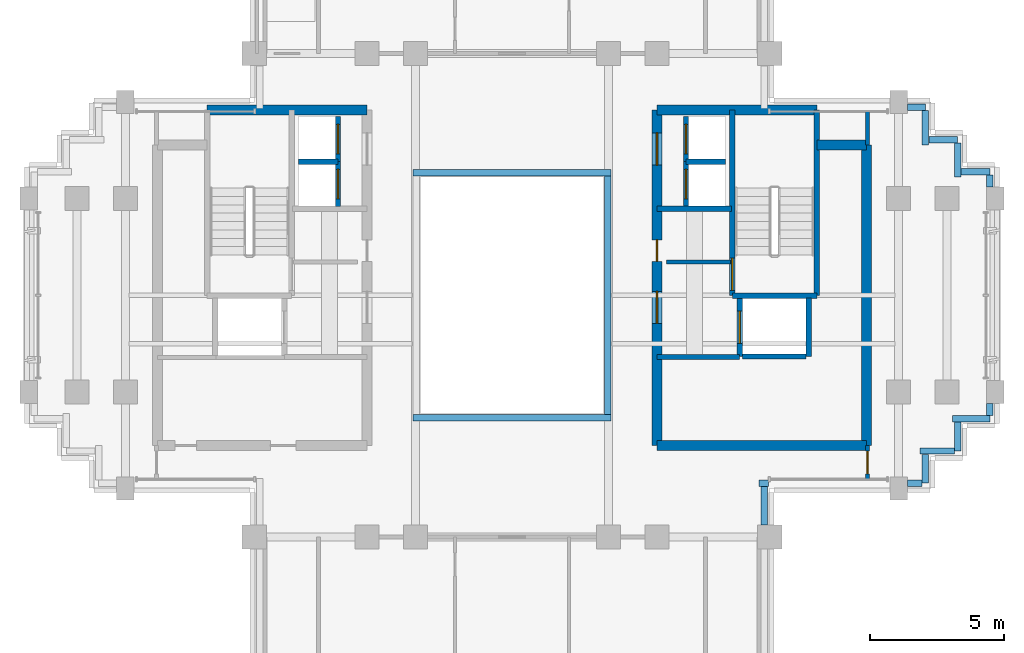
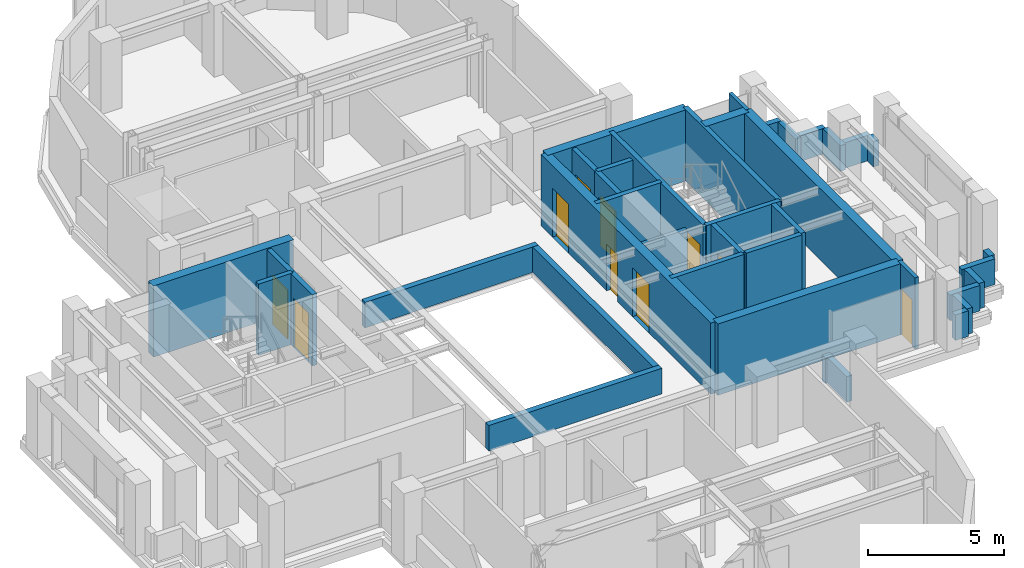
# One storey, part 7 of 11: 40 walls, 10 doors, 10 openings.
"""IFC4 building model written with IfcOpenShell, lengths in metres."""

from ifc_helpers import new_model, si_unit, direction, frame, frame_2d, origin, place, context, subcontext, project, spatial, rectangle, extrude, source, transform, mapped, material, layer, layer_set, type_object, element, fill, save


model = new_model("IFC4")

# Units and contexts
model_context = context("Model", 3, precision=1e-05, world=origin(), true_north=direction((0.0, 1.0)))
body_context = subcontext(model_context, "Body", "Model", "MODEL_VIEW")
ifc_project = project(units=[si_unit("LENGTHUNIT", "METRE"), si_unit("AREAUNIT", "SQUARE_METRE"), si_unit("VOLUMEUNIT", "CUBIC_METRE"), si_unit("PLANEANGLEUNIT", "RADIAN"), si_unit("MASSUNIT", "GRAM", prefix="KILO")], contexts=[model_context])

# Site, building, storey
site_placement = place(None, origin())
site = spatial("IfcSite", under=ifc_project, at=site_placement, CompositionType="ELEMENT")
building_placement = place(site_placement, origin())
building = spatial("IfcBuilding", under=site, at=building_placement, Name="Keilestroom Media Tower", CompositionType="ELEMENT")
storey_placement = place(building_placement, frame((0.0, 0.0, 204.60009765625)))
storey = spatial("IfcBuildingStorey", under=building, at=storey_placement, Name="L56", CompositionType="ELEMENT", Elevation=204.60009765625)

# Walls
ifc_material_1 = material(Name="Gypsum Plasterboard & Steel Stud", Category="steel")
ifc_layer_1 = layer(ifc_material_1, 0.14990234375)
ifc_layer_set_1 = layer_set([ifc_layer_1], Name="Gypsum Plasterboard & Steel Stud")
wall_type_1 = type_object("IfcWallType", Name="Interior-Partition-Wall-150", PredefinedType="PARTITIONING", material=ifc_layer_set_1)
wall_1_placement = place(storey_placement, frame((5.75, 1.239990234375, 0.0), z_axis=(0.0, 0.0, 1.0), x_axis=(1.0, 0.0, 0.0)))
element("IfcWall", 1, at=wall_1_placement, inside=storey, type_object=wall_type_1, Name="L56 Interior Wall WP-L56-FFE-TOP", PredefinedType="PARTITIONING", context=body_context, shape_type="SweptSolid", body=[
    extrude(rectangle(XDim=2.389892578125, YDim=0.14990234375, at=frame_2d((1.19482421875, 0.0))), origin(), (0.0, 0.0, 1.0), 2.2998046875),
])
wall_2_placement = place(storey_placement, frame((13.239990234375, 5.60009765625, 0.0), z_axis=(0.0, 0.0, 1.0), x_axis=(0.0, 1.0, 0.0)))
element("IfcWall", 2, at=wall_2_placement, inside=storey, type_object=wall_type_1, Name="L56 Interior Wall WP-L56-RPAR-ENTN", PredefinedType="PARTITIONING", context=body_context, shape_type="SweptSolid", body=[
    extrude(rectangle(XDim=1.25, YDim=0.14990234375, at=frame_2d((0.625, 0.0))), origin(), (0.0, 0.0, 1.0), 3.199951171875),
])

# Wall, opening, door
wall_3_placement = place(storey_placement, frame((13.239990234375, -6.85009765625, 0.0), z_axis=(0.0, 0.0, 1.0), x_axis=(0.0, 1.0, 0.0)))
wall_3 = element("IfcWall", 3, at=wall_3_placement, inside=storey, type_object=wall_type_1, Name="L56 Interior Wall WP-L56-RPAR-ENTS", PredefinedType="PARTITIONING", context=body_context, shape_type="SweptSolid", body=[
    extrude(rectangle(XDim=1.25, YDim=0.14990234375, at=frame_2d((0.625, 0.0))), origin(), (0.0, 0.0, 1.0), 3.199951171875),
])
opening_1_placement = place(wall_3_placement, frame((0.199951171875, 0.0, 0.0)))
opening_1 = element("IfcOpeningElement", 4, at=opening_1_placement, cuts=wall_3, Name="Opening DI-05", PredefinedType="OPENING", context=body_context, shape_type="SweptSolid", body=[
    extrude(rectangle(XDim=0.85009765625, YDim=2.10009765625, at=frame_2d((0.425048828125, 1.050048828125))), frame((0.0, 0.0849609375, 0.0), z_axis=(0.0, -1.0, 0.0), x_axis=(1.0, 0.0, 0.0)), (0.0, 0.0, 1.0), 0.169921875),
])
ifc_material_2 = material(Name="Moisture-Resistant Oak Leaf", Category="wood")
door_type_1 = type_object("IfcDoorType", Name="Interior-En-Suite-And-Cupboard-Door-DI-05", OperationType="NOTDEFINED", PredefinedType="DOOR", material=ifc_material_2)
shared_shape_1 = source(origin(), body_context, "Body", "SweptSolid", [
    extrude(rectangle(XDim=0.85009765625, YDim=2.10009765625, at=frame_2d((0.425048828125, 1.050048828125))), frame((0.0, 0.02490234375, 0.0), z_axis=(0.0, -1.0, 0.0), x_axis=(1.0, 0.0, 0.0)), (0.0, 0.0, 1.0), 0.050048828125),
])
door_1_placement = place(opening_1_placement, origin())
door_1 = element("IfcDoor", 5, at=door_1_placement, inside=storey, type_object=door_type_1, Name="L56 Interior Door DI-L56-DRPAR-E", OperationType="SINGLE_SWING_LEFT", OverallHeight=2.10009765625, OverallWidth=0.85009765625, PredefinedType="DOOR", context=body_context, shape_type="MappedRepresentation", body=[
    mapped(shared_shape_1, transform((0.0, 0.0, 0.0), x_axis=(1.0, 0.0, 0.0), y_axis=(0.0, 1.0, 0.0), z_axis=(0.0, 0.0, 1.0), scale=1.0)),
])
fill(opening_1, door_1)

# Walls
ifc_material_3 = material(Name="Concrete C55/67", Category="concrete")
ifc_layer_2 = layer(ifc_material_3, 0.3798828125)
ifc_layer_set_2 = layer_set([ifc_layer_2], Name="Concrete C55/67")
wall_type_2 = type_object("IfcWallType", Name="Reinforced-Concrete-Core-Shear-Wall-380", PredefinedType="SHEAR", material=ifc_layer_set_2)
wall_4_placement = place(storey_placement, frame((-11.35595703125, 6.89990234375, 0.0), z_axis=(0.0, 0.0, 1.0), x_axis=(1.0, 0.0, 0.0)))
element("IfcWall", 6, at=wall_4_placement, inside=storey, type_object=wall_type_2, Name="L56 Core Shear Wall WL-L56-CORE-W-N", PredefinedType="SHEAR", context=body_context, shape_type="SweptSolid", body=[
    extrude(rectangle(XDim=5.9560546875, YDim=0.3798828125, at=frame_2d((2.97802734375, 0.0))), origin(), (0.0, 0.0, 1.0), 3.199951171875),
])
wall_5_placement = place(storey_placement, frame((13.199951171875, -5.60009765625, 0.0), z_axis=(0.0, 0.0, 1.0), x_axis=(0.0, 1.0, 0.0)))
element("IfcWall", 7, at=wall_5_placement, inside=storey, type_object=wall_type_2, Name="L56 Core Shear Wall WL-L56-CORE-E-OUT", PredefinedType="SHEAR", context=body_context, shape_type="SweptSolid", body=[
    extrude(rectangle(XDim=11.2001953125, YDim=0.3798828125, at=frame_2d((5.60009765625, 0.0))), origin(), (0.0, 0.0, 1.0), 3.199951171875),
])

# Wall, openings, doors
wall_6_placement = place(storey_placement, frame((5.39990234375, -5.60009765625, 0.0), z_axis=(0.0, 0.0, 1.0), x_axis=(0.0, 1.0, 0.0)))
wall_6 = element("IfcWall", 8, at=wall_6_placement, inside=storey, type_object=wall_type_2, Name="L56 Core Shear Wall WL-L56-CORE-E-IN", PredefinedType="SHEAR", context=body_context, shape_type="SweptSolid", body=[
    extrude(rectangle(XDim=12.5, YDim=0.3798828125, at=frame_2d((6.25, 0.0))), origin(), (0.0, 0.0, 1.0), 3.199951171875),
])
opening_2_placement = place(wall_6_placement, frame((4.550048828125, 0.0, 0.0)))
opening_2 = element("IfcOpeningElement", 9, at=opening_2_placement, cuts=wall_6, Name="Opening DI-02", PredefinedType="OPENING", context=body_context, shape_type="SweptSolid", body=[
    extrude(rectangle(XDim=1.199951171875, YDim=2.199951171875, at=frame_2d((0.60009765625, 1.10009765625))), frame((0.0, 0.199951171875, 0.0), z_axis=(0.0, -1.0, 0.0), x_axis=(1.0, 0.0, 0.0)), (0.0, 0.0, 1.0), 0.39990234375),
])
opening_3_placement = place(wall_6_placement, frame((10.449951171875, 0.0, 0.0)))
opening_3 = element("IfcOpeningElement", 10, at=opening_3_placement, cuts=wall_6, Name="Opening DI-02", PredefinedType="OPENING", context=body_context, shape_type="SweptSolid", body=[
    extrude(rectangle(XDim=1.199951171875, YDim=2.199951171875, at=frame_2d((0.60009765625, 1.10009765625))), frame((0.0, 0.199951171875, 0.0), z_axis=(0.0, -1.0, 0.0), x_axis=(1.0, 0.0, 0.0)), (0.0, 0.0, 1.0), 0.39990234375),
])
opening_4_placement = place(wall_6_placement, frame((6.860107421875, 0.0, 0.0)))
opening_4 = element("IfcOpeningElement", 11, at=opening_4_placement, cuts=wall_6, Name="Opening DI-06", PredefinedType="OPENING", context=body_context, shape_type="SweptSolid", body=[
    extrude(rectangle(XDim=0.800048828125, YDim=2.10009765625, at=frame_2d((0.39990234375, 1.050048828125))), frame((0.0, 0.199951171875, 0.0), z_axis=(0.0, -1.0, 0.0), x_axis=(1.0, 0.0, 0.0)), (0.0, 0.0, 1.0), 0.39990234375),
])
ifc_material_4 = material(Name="Powder-Coated Steel Fire Leaf", Category="steel")
door_type_2 = type_object("IfcDoorType", Name="Interior-Compartment-Fire-Door-DI-02", OperationType="NOTDEFINED", PredefinedType="DOOR", material=ifc_material_4)
shared_shape_2 = source(origin(), body_context, "Body", "SweptSolid", [
    extrude(rectangle(XDim=1.199951171875, YDim=2.199951171875, at=frame_2d((0.60009765625, 1.10009765625))), frame((0.0, 0.02490234375, 0.0), z_axis=(0.0, -1.0, 0.0), x_axis=(1.0, 0.0, 0.0)), (0.0, 0.0, 1.0), 0.050048828125),
])
door_2_placement = place(opening_2_placement, origin())
door_2 = element("IfcDoor", 12, at=door_2_placement, inside=storey, type_object=door_type_2, Name="L56 E Firefighting Lobby Door", OperationType="SINGLE_SWING_LEFT", OverallHeight=2.199951171875, OverallWidth=1.199951171875, PredefinedType="DOOR", context=body_context, shape_type="MappedRepresentation", body=[
    mapped(shared_shape_2, transform((0.0, 0.0, 0.0), x_axis=(1.0, 0.0, 0.0), y_axis=(0.0, 1.0, 0.0), z_axis=(0.0, 0.0, 1.0), scale=1.0)),
])
fill(opening_2, door_2)
door_3_placement = place(opening_3_placement, origin())
door_3 = element("IfcDoor", 13, at=door_3_placement, inside=storey, type_object=door_type_2, Name="L56 E High-Rise Lift Lobby Door", OperationType="SINGLE_SWING_RIGHT", OverallHeight=2.199951171875, OverallWidth=1.199951171875, PredefinedType="DOOR", context=body_context, shape_type="MappedRepresentation", body=[
    mapped(shared_shape_2, transform((0.0, 0.0, 0.0), x_axis=(1.0, 0.0, 0.0), y_axis=(0.0, 1.0, 0.0), z_axis=(0.0, 0.0, 1.0), scale=1.0)),
])
fill(opening_3, door_3)
ifc_material_5 = material(Name="Powder-Coated Steel Service Leaf", Category="steel")
door_type_3 = type_object("IfcDoorType", Name="Interior-Riser-Access-Door-DI-06", OperationType="NOTDEFINED", PredefinedType="DOOR", material=ifc_material_5)
shared_shape_3 = source(origin(), body_context, "Body", "SweptSolid", [
    extrude(rectangle(XDim=0.800048828125, YDim=2.10009765625, at=frame_2d((0.39990234375, 1.050048828125))), frame((0.0, 0.02490234375, 0.0), z_axis=(0.0, -1.0, 0.0), x_axis=(1.0, 0.0, 0.0)), (0.0, 0.0, 1.0), 0.050048828125),
])
door_4_placement = place(opening_4_placement, origin())
door_4 = element("IfcDoor", 14, at=door_4_placement, inside=storey, type_object=door_type_3, Name="L56 East Core Telecom Door", OperationType="SINGLE_SWING_RIGHT", OverallHeight=2.10009765625, OverallWidth=0.800048828125, PredefinedType="DOOR", context=body_context, shape_type="MappedRepresentation", body=[
    mapped(shared_shape_3, transform((0.0, 0.0, 0.0), x_axis=(1.0, 0.0, 0.0), y_axis=(0.0, 1.0, 0.0), z_axis=(0.0, 0.0, 1.0), scale=1.0)),
])
fill(opening_4, door_4)

# Walls
wall_7_placement = place(storey_placement, frame((5.39990234375, 6.89990234375, 0.0), z_axis=(0.0, 0.0, 1.0), x_axis=(1.0, 0.0, 0.0)))
element("IfcWall", 15, at=wall_7_placement, inside=storey, type_object=wall_type_2, Name="L56 Core Shear Wall WL-L56-CORE-E-N", PredefinedType="SHEAR", context=body_context, shape_type="SweptSolid", body=[
    extrude(rectangle(XDim=5.9560546875, YDim=0.3798828125, at=frame_2d((2.97802734375, 0.0))), origin(), (0.0, 0.0, 1.0), 3.199951171875),
])
wall_8_placement = place(storey_placement, frame((11.35595703125, 5.60009765625, 0.0), z_axis=(0.0, 0.0, 1.0), x_axis=(1.0, 0.0, 0.0)))
element("IfcWall", 16, at=wall_8_placement, inside=storey, type_object=wall_type_2, Name="L56 Core Shear Wall WL-L56-CNE-N", PredefinedType="SHEAR", context=body_context, shape_type="SweptSolid", body=[
    extrude(rectangle(XDim=1.843994140625, YDim=0.3798828125, at=frame_2d((0.921875, 0.0))), origin(), (0.0, 0.0, 1.0), 3.199951171875),
])
wall_9_placement = place(storey_placement, frame((5.39990234375, -5.60009765625, 0.0), z_axis=(0.0, 0.0, 1.0), x_axis=(1.0, 0.0, 0.0)))
element("IfcWall", 17, at=wall_9_placement, inside=storey, type_object=wall_type_2, Name="L56 Core Shear Wall WL-L56-CORE-E-S", PredefinedType="SHEAR", context=body_context, shape_type="SweptSolid", body=[
    extrude(rectangle(XDim=7.800048828125, YDim=0.3798828125, at=frame_2d((3.89990234375, 0.0))), origin(), (0.0, 0.0, 1.0), 3.199951171875),
])
ifc_material_6 = material(Name="Concrete C50/60", Category="concrete")
ifc_layer_3 = layer(ifc_material_6, 0.199951171875)
ifc_layer_set_3 = layer_set([ifc_layer_3], Name="Concrete C50/60")
wall_type_3 = type_object("IfcWallType", Name="Reinforced-Concrete-Shaft-Wall-200", PredefinedType="SOLIDWALL", material=ifc_layer_set_3)
wall_10_placement = place(storey_placement, frame((5.39990234375, 3.219970703125, 0.0), z_axis=(0.0, 0.0, 1.0), x_axis=(1.0, 0.0, 0.0)))
element("IfcWall", 18, at=wall_10_placement, inside=storey, type_object=wall_type_3, Name="L56 Core Shear Wall WL-L56-CORE-E-FFN", PredefinedType="SOLIDWALL", context=body_context, shape_type="SweptSolid", body=[
    extrude(rectangle(XDim=2.780029296875, YDim=0.199951171875, at=frame_2d((1.39013671875, 0.0))), origin(), (0.0, 0.0, 1.0), 3.199951171875),
])
wall_11_placement = place(storey_placement, frame((5.39990234375, -2.300048828125, 0.0), z_axis=(0.0, 0.0, 1.0), x_axis=(1.0, 0.0, 0.0)))
element("IfcWall", 19, at=wall_11_placement, inside=storey, type_object=wall_type_3, Name="L56 Core Shear Wall WL-L56-CORE-E-FFS", PredefinedType="SOLIDWALL", context=body_context, shape_type="SweptSolid", body=[
    extrude(rectangle(XDim=3.080078125, YDim=0.199951171875, at=frame_2d((1.5400390625, 0.0))), origin(), (0.0, 0.0, 1.0), 3.199951171875),
])

# Wall, opening, door
wall_12_placement = place(storey_placement, frame((8.2041015625, -0.01611328125, 0.0), z_axis=(0.0, 0.0, 1.0), x_axis=(0.0, 1.0, 0.0)))
wall_12 = element("IfcWall", 20, at=wall_12_placement, inside=storey, type_object=wall_type_3, Name="L56 Core Shear Wall WL-L56-STW-E-NEAR", PredefinedType="SOLIDWALL", context=body_context, shape_type="SweptSolid", body=[
    extrude(rectangle(XDim=6.916015625, YDim=0.199951171875, at=frame_2d((3.4580078125, 0.0))), origin(), (0.0, 0.0, 1.0), 3.199951171875),
])
opening_5_placement = place(wall_12_placement, frame((0.199951171875, 0.0, 0.0)))
opening_5 = element("IfcOpeningElement", 21, at=opening_5_placement, cuts=wall_12, Name="Opening DI-01S", PredefinedType="OPENING", context=body_context, shape_type="SweptSolid", body=[
    extrude(rectangle(XDim=1.199951171875, YDim=2.199951171875, at=frame_2d((0.60009765625, 1.10009765625))), frame((0.0, 0.10986328125, 0.0), z_axis=(0.0, -1.0, 0.0), x_axis=(1.0, 0.0, 0.0)), (0.0, 0.0, 1.0), 0.219970703125),
])
door_type_4 = type_object("IfcDoorType", Name="Interior-Stair-And-Core-Fire-Door-DI-01", OperationType="NOTDEFINED", PredefinedType="DOOR", material=ifc_material_4)
door_5_placement = place(opening_5_placement, origin())
door_5 = element("IfcDoor", 22, at=door_5_placement, inside=storey, type_object=door_type_4, Name="L56 Escape Stair ST-2 Fire Door", OperationType="SINGLE_SWING_RIGHT", OverallHeight=2.199951171875, OverallWidth=1.199951171875, PredefinedType="DOOR", context=body_context, shape_type="MappedRepresentation", body=[
    mapped(shared_shape_2, transform((0.0, 0.0, 0.0), x_axis=(1.0, 0.0, 0.0), y_axis=(0.0, 1.0, 0.0), z_axis=(0.0, 0.0, 1.0), scale=1.0)),
])
fill(opening_5, door_5)

# Walls
wall_13_placement = place(storey_placement, frame((11.35595703125, -0.01611328125, 0.0), z_axis=(0.0, 0.0, 1.0), x_axis=(0.0, 1.0, 0.0)))
element("IfcWall", 23, at=wall_13_placement, inside=storey, type_object=wall_type_3, Name="L56 Core Shear Wall WL-L56-STW-E-FAR", PredefinedType="SOLIDWALL", context=body_context, shape_type="SweptSolid", body=[
    extrude(rectangle(XDim=6.916015625, YDim=0.199951171875, at=frame_2d((3.4580078125, 0.0))), origin(), (0.0, 0.0, 1.0), 3.199951171875),
])
wall_14_placement = place(storey_placement, frame((8.2041015625, -0.01611328125, 0.0), z_axis=(0.0, 0.0, 1.0), x_axis=(1.0, 0.0, 0.0)))
element("IfcWall", 24, at=wall_14_placement, inside=storey, type_object=wall_type_3, Name="L56 Core Shear Wall WL-L56-STW-E-S", PredefinedType="SOLIDWALL", context=body_context, shape_type="SweptSolid", body=[
    extrude(rectangle(XDim=3.15185546875, YDim=0.199951171875, at=frame_2d((1.575927734375, 0.0))), origin(), (0.0, 0.0, 1.0), 3.199951171875),
])

# Wall, opening, door
wall_15_placement = place(storey_placement, frame((8.47998046875, -2.280029296875, 0.0), z_axis=(0.0, 0.0, 1.0), x_axis=(0.0, 1.0, 0.0)))
wall_15 = element("IfcWall", 25, at=wall_15_placement, inside=storey, type_object=wall_type_3, Name="L56 Core Shear Wall WL-L56-LSH-FFL-2-W", PredefinedType="SOLIDWALL", context=body_context, shape_type="SweptSolid", body=[
    extrude(rectangle(XDim=2.179931640625, YDim=0.199951171875, at=frame_2d((1.08984375, 0.0))), origin(), (0.0, 0.0, 1.0), 3.199951171875),
])
opening_6_placement = place(wall_15_placement, frame((0.489990234375, 0.0, 0.0)))
opening_6 = element("IfcOpeningElement", 26, at=opening_6_placement, cuts=wall_15, Name="Opening LD-02", PredefinedType="OPENING", context=body_context, shape_type="SweptSolid", body=[
    extrude(rectangle(XDim=1.199951171875, YDim=2.199951171875, at=frame_2d((0.60009765625, 1.10009765625))), frame((0.0, 0.10986328125, 0.0), z_axis=(0.0, -1.0, 0.0), x_axis=(1.0, 0.0, 0.0)), (0.0, 0.0, 1.0), 0.219970703125),
])
ifc_material_7 = material(Name="Brushed Stainless Steel Sliding Leaf", Category="steel")
door_type_5 = type_object("IfcDoorType", Name="Lift-Landing-Sliding-Door-LD-02", OperationType="SLIDING_TO_RIGHT", PredefinedType="DOOR", material=ifc_material_7)
door_6_placement = place(opening_6_placement, origin())
door_6 = element("IfcDoor", 27, at=door_6_placement, inside=storey, type_object=door_type_5, Name="L56 Lift FFL-2 Landing Sliding Door", OperationType="SLIDING_TO_RIGHT", OverallHeight=2.199951171875, OverallWidth=1.199951171875, PredefinedType="DOOR", context=body_context, shape_type="MappedRepresentation", body=[
    mapped(shared_shape_2, transform((0.0, 0.0, 0.0), x_axis=(1.0, 0.0, 0.0), y_axis=(0.0, 1.0, 0.0), z_axis=(0.0, 0.0, 1.0), scale=1.0)),
])
fill(opening_6, door_6)

# Walls
wall_16_placement = place(storey_placement, frame((11.050048828125, -2.280029296875, 0.0), z_axis=(0.0, 0.0, 1.0), x_axis=(0.0, 1.0, 0.0)))
element("IfcWall", 28, at=wall_16_placement, inside=storey, type_object=wall_type_3, Name="L56 Core Shear Wall WL-L56-LSH-FFL-2-E", PredefinedType="SOLIDWALL", context=body_context, shape_type="SweptSolid", body=[
    extrude(rectangle(XDim=2.179931640625, YDim=0.199951171875, at=frame_2d((1.08984375, 0.0))), origin(), (0.0, 0.0, 1.0), 3.199951171875),
])
wall_17_placement = place(storey_placement, frame((8.583984375, -2.280029296875, 0.0), z_axis=(0.0, 0.0, 1.0), x_axis=(1.0, 0.0, 0.0)))
element("IfcWall", 29, at=wall_17_placement, inside=storey, type_object=wall_type_3, Name="L56 Core Shear Wall WL-L56-LSH-FFL-2-S", PredefinedType="SOLIDWALL", context=body_context, shape_type="SweptSolid", body=[
    extrude(rectangle(XDim=2.362060546875, YDim=0.199951171875, at=frame_2d((1.18115234375, 0.0))), origin(), (0.0, 0.0, 1.0), 3.199951171875),
])

# Wall, opening, door
wall_18_placement = place(storey_placement, frame((-6.47998046875, 3.300048828125, 0.0), z_axis=(0.0, 0.0, 1.0), x_axis=(0.0, 1.0, 0.0)))
wall_18 = element("IfcWall", 30, at=wall_18_placement, inside=storey, type_object=wall_type_3, Name="L56 Core Shear Wall WL-L56-LSH-PL-H1-E", PredefinedType="SOLIDWALL", context=body_context, shape_type="SweptSolid", body=[
    extrude(rectangle(XDim=1.679931640625, YDim=0.199951171875, at=frame_2d((0.83984375, 0.0))), origin(), (0.0, 0.0, 1.0), 3.199951171875),
])
opening_7_placement = place(wall_18_placement, frame((0.2900390625, 0.0, 0.0)))
opening_7 = element("IfcOpeningElement", 31, at=opening_7_placement, cuts=wall_18, Name="Opening LD-01", PredefinedType="OPENING", context=body_context, shape_type="SweptSolid", body=[
    extrude(rectangle(XDim=1.10009765625, YDim=2.199951171875, at=frame_2d((0.550048828125, 1.10009765625))), frame((0.0, 0.10986328125, 0.0), z_axis=(0.0, -1.0, 0.0), x_axis=(1.0, 0.0, 0.0)), (0.0, 0.0, 1.0), 0.219970703125),
])
door_type_6 = type_object("IfcDoorType", Name="Lift-Landing-Sliding-Door-LD-01", OperationType="SLIDING_TO_LEFT", PredefinedType="DOOR", material=ifc_material_7)
shared_shape_4 = source(origin(), body_context, "Body", "SweptSolid", [
    extrude(rectangle(XDim=1.10009765625, YDim=2.199951171875, at=frame_2d((0.550048828125, 1.10009765625))), frame((0.0, 0.02490234375, 0.0), z_axis=(0.0, -1.0, 0.0), x_axis=(1.0, 0.0, 0.0)), (0.0, 0.0, 1.0), 0.050048828125),
])
door_7_placement = place(opening_7_placement, origin())
door_7 = element("IfcDoor", 32, at=door_7_placement, inside=storey, type_object=door_type_6, Name="L56 Lift PL-H1 Landing Sliding Door", OperationType="SLIDING_TO_LEFT", OverallHeight=2.199951171875, OverallWidth=1.10009765625, PredefinedType="DOOR", context=body_context, shape_type="MappedRepresentation", body=[
    mapped(shared_shape_4, transform((0.0, 0.0, 0.0), x_axis=(1.0, 0.0, 0.0), y_axis=(0.0, 1.0, 0.0), z_axis=(0.0, 0.0, 1.0), scale=1.0)),
])
fill(opening_7, door_7)

# Wall
wall_19_placement = place(storey_placement, frame((-7.949951171875, 4.97998046875, 0.0), z_axis=(0.0, 0.0, 1.0), x_axis=(1.0, 0.0, 0.0)))
element("IfcWall", 33, at=wall_19_placement, inside=storey, type_object=wall_type_3, Name="L56 Core Shear Wall WL-L56-LSH-PL-H1-N", PredefinedType="SOLIDWALL", context=body_context, shape_type="SweptSolid", body=[
    extrude(rectangle(XDim=1.469970703125, YDim=0.199951171875, at=frame_2d((0.73486328125, 0.0))), origin(), (0.0, 0.0, 1.0), 3.199951171875),
])

# Wall, opening, door
wall_20_placement = place(storey_placement, frame((-6.47998046875, 4.97998046875, 0.0), z_axis=(0.0, 0.0, 1.0), x_axis=(0.0, 1.0, 0.0)))
wall_20 = element("IfcWall", 34, at=wall_20_placement, inside=storey, type_object=wall_type_3, Name="L56 Core Shear Wall WL-L56-LSH-PL-H2-E", PredefinedType="SOLIDWALL", context=body_context, shape_type="SweptSolid", body=[
    extrude(rectangle(XDim=1.669921875, YDim=0.199951171875, at=frame_2d((0.8349609375, 0.0))), origin(), (0.0, 0.0, 1.0), 3.199951171875),
])
opening_8_placement = place(wall_20_placement, frame((0.284912109375, 0.0, 0.0)))
opening_8 = element("IfcOpeningElement", 35, at=opening_8_placement, cuts=wall_20, Name="Opening LD-01", PredefinedType="OPENING", context=body_context, shape_type="SweptSolid", body=[
    extrude(rectangle(XDim=1.10009765625, YDim=2.199951171875, at=frame_2d((0.550048828125, 1.10009765625))), frame((0.0, 0.10986328125, 0.0), z_axis=(0.0, -1.0, 0.0), x_axis=(1.0, 0.0, 0.0)), (0.0, 0.0, 1.0), 0.219970703125),
])
door_8_placement = place(opening_8_placement, origin())
door_8 = element("IfcDoor", 36, at=door_8_placement, inside=storey, type_object=door_type_6, Name="L56 Lift PL-H2 Landing Sliding Door", OperationType="SLIDING_TO_LEFT", OverallHeight=2.199951171875, OverallWidth=1.10009765625, PredefinedType="DOOR", context=body_context, shape_type="MappedRepresentation", body=[
    mapped(shared_shape_4, transform((0.0, 0.0, 0.0), x_axis=(1.0, 0.0, 0.0), y_axis=(0.0, 1.0, 0.0), z_axis=(0.0, 0.0, 1.0), scale=1.0)),
])
fill(opening_8, door_8)

wall_21_placement = place(storey_placement, frame((6.47998046875, 3.300048828125, 0.0), z_axis=(0.0, 0.0, 1.0), x_axis=(0.0, 1.0, 0.0)))
wall_21 = element("IfcWall", 37, at=wall_21_placement, inside=storey, type_object=wall_type_3, Name="L56 Core Shear Wall WL-L56-LSH-PL-H3-W", PredefinedType="SOLIDWALL", context=body_context, shape_type="SweptSolid", body=[
    extrude(rectangle(XDim=1.679931640625, YDim=0.199951171875, at=frame_2d((0.83984375, 0.0))), origin(), (0.0, 0.0, 1.0), 3.199951171875),
])
opening_9_placement = place(wall_21_placement, frame((0.2900390625, 0.0, 0.0)))
opening_9 = element("IfcOpeningElement", 38, at=opening_9_placement, cuts=wall_21, Name="Opening LD-01", PredefinedType="OPENING", context=body_context, shape_type="SweptSolid", body=[
    extrude(rectangle(XDim=1.10009765625, YDim=2.199951171875, at=frame_2d((0.550048828125, 1.10009765625))), frame((0.0, 0.10986328125, 0.0), z_axis=(0.0, -1.0, 0.0), x_axis=(1.0, 0.0, 0.0)), (0.0, 0.0, 1.0), 0.219970703125),
])
door_9_placement = place(opening_9_placement, origin())
door_9 = element("IfcDoor", 39, at=door_9_placement, inside=storey, type_object=door_type_6, Name="L56 Lift PL-H3 Landing Sliding Door", OperationType="SLIDING_TO_LEFT", OverallHeight=2.199951171875, OverallWidth=1.10009765625, PredefinedType="DOOR", context=body_context, shape_type="MappedRepresentation", body=[
    mapped(shared_shape_4, transform((0.0, 0.0, 0.0), x_axis=(1.0, 0.0, 0.0), y_axis=(0.0, 1.0, 0.0), z_axis=(0.0, 0.0, 1.0), scale=1.0)),
])
fill(opening_9, door_9)

# Wall
wall_22_placement = place(storey_placement, frame((6.47998046875, 4.97998046875, 0.0), z_axis=(0.0, 0.0, 1.0), x_axis=(1.0, 0.0, 0.0)))
element("IfcWall", 40, at=wall_22_placement, inside=storey, type_object=wall_type_3, Name="L56 Core Shear Wall WL-L56-LSH-PL-H3-N", PredefinedType="SOLIDWALL", context=body_context, shape_type="SweptSolid", body=[
    extrude(rectangle(XDim=1.469970703125, YDim=0.199951171875, at=frame_2d((0.73486328125, 0.0))), origin(), (0.0, 0.0, 1.0), 3.199951171875),
])

# Wall, opening, door
wall_23_placement = place(storey_placement, frame((6.47998046875, 4.97998046875, 0.0), z_axis=(0.0, 0.0, 1.0), x_axis=(0.0, 1.0, 0.0)))
wall_23 = element("IfcWall", 41, at=wall_23_placement, inside=storey, type_object=wall_type_3, Name="L56 Core Shear Wall WL-L56-LSH-PL-H4-W", PredefinedType="SOLIDWALL", context=body_context, shape_type="SweptSolid", body=[
    extrude(rectangle(XDim=1.669921875, YDim=0.199951171875, at=frame_2d((0.8349609375, 0.0))), origin(), (0.0, 0.0, 1.0), 3.199951171875),
])
opening_10_placement = place(wall_23_placement, frame((0.284912109375, 0.0, 0.0)))
opening_10 = element("IfcOpeningElement", 42, at=opening_10_placement, cuts=wall_23, Name="Opening LD-01", PredefinedType="OPENING", context=body_context, shape_type="SweptSolid", body=[
    extrude(rectangle(XDim=1.10009765625, YDim=2.199951171875, at=frame_2d((0.550048828125, 1.10009765625))), frame((0.0, 0.10986328125, 0.0), z_axis=(0.0, -1.0, 0.0), x_axis=(1.0, 0.0, 0.0)), (0.0, 0.0, 1.0), 0.219970703125),
])
door_10_placement = place(opening_10_placement, origin())
door_10 = element("IfcDoor", 43, at=door_10_placement, inside=storey, type_object=door_type_6, Name="L56 Lift PL-H4 Landing Sliding Door", OperationType="SLIDING_TO_LEFT", OverallHeight=2.199951171875, OverallWidth=1.10009765625, PredefinedType="DOOR", context=body_context, shape_type="MappedRepresentation", body=[
    mapped(shared_shape_4, transform((0.0, 0.0, 0.0), x_axis=(1.0, 0.0, 0.0), y_axis=(0.0, 1.0, 0.0), z_axis=(0.0, 0.0, 1.0), scale=1.0)),
])
fill(opening_10, door_10)

# Walls
ifc_material_8 = material(Name="Precast concrete C40/50", Category="concrete")
ifc_layer_4 = layer(ifc_material_8, 0.239990234375)
ifc_layer_set_4 = layer_set([ifc_layer_4], Name="Precast concrete C40/50")
wall_type_4 = type_object("IfcWallType", Name="Roof-And-Terrace-Parapet-Wall-240", PredefinedType="PARAPET", material=ifc_layer_set_4)
wall_24_placement = place(storey_placement, frame((17.800048828125, -4.60009765625, 0.0), z_axis=(0.0, 0.0, 1.0), x_axis=(-1.0, 0.0, 0.0)))
element("IfcWall", 44, at=wall_24_placement, inside=storey, type_object=wall_type_4, Name="L56 Perimeter Edge Parapet Wall 01", PredefinedType="PARAPET", context=body_context, shape_type="SweptSolid", body=[
    extrude(rectangle(XDim=1.400146484375, YDim=0.239990234375, at=frame_2d((0.7001953125, 0.0))), origin(), (0.0, 0.0, 1.0), 1.14990234375),
])
wall_25_placement = place(storey_placement, frame((16.60009765625, -4.722900390625, 0.0), z_axis=(0.0, 0.0, 1.0), x_axis=(0.0, -1.0, 0.0)))
element("IfcWall", 45, at=wall_25_placement, inside=storey, type_object=wall_type_4, Name="L56 Perimeter Edge Parapet Wall 02", PredefinedType="PARAPET", context=body_context, shape_type="SweptSolid", body=[
    extrude(rectangle(XDim=1.0771484375, YDim=0.239990234375, at=frame_2d((0.53857421875, 0.0))), origin(), (0.0, 0.0, 1.0), 1.14990234375),
])
wall_26_placement = place(storey_placement, frame((16.47705078125, -5.800048828125, 0.0), z_axis=(0.0, 0.0, 1.0), x_axis=(-1.0, 0.0, 0.0)))
element("IfcWall", 46, at=wall_26_placement, inside=storey, type_object=wall_type_4, Name="L56 Perimeter Edge Parapet Wall 03", PredefinedType="PARAPET", context=body_context, shape_type="SweptSolid", body=[
    extrude(rectangle(XDim=1.277099609375, YDim=0.239990234375, at=frame_2d((0.638671875, 0.0))), origin(), (0.0, 0.0, 1.0), 1.14990234375),
])
wall_27_placement = place(storey_placement, frame((15.39990234375, -5.923095703125, 0.0), z_axis=(0.0, 0.0, 1.0), x_axis=(0.0, -1.0, 0.0)))
element("IfcWall", 47, at=wall_27_placement, inside=storey, type_object=wall_type_4, Name="L56 Perimeter Edge Parapet Wall 04", PredefinedType="PARAPET", context=body_context, shape_type="SweptSolid", body=[
    extrude(rectangle(XDim=1.076904296875, YDim=0.239990234375, at=frame_2d((0.53857421875, 0.0))), origin(), (0.0, 0.0, 1.0), 1.14990234375),
])
wall_28_placement = place(storey_placement, frame((15.277099609375, -7.0, 0.0), z_axis=(0.0, 0.0, 1.0), x_axis=(-1.0, 0.0, 0.0)))
element("IfcWall", 48, at=wall_28_placement, inside=storey, type_object=wall_type_4, Name="L56 Perimeter Edge Parapet Wall 05", PredefinedType="PARAPET", context=body_context, shape_type="SweptSolid", body=[
    extrude(rectangle(XDim=0.549072265625, YDim=0.239990234375, at=frame_2d((0.2744140625, 0.0))), origin(), (0.0, 0.0, 1.0), 1.14990234375),
])
wall_29_placement = place(storey_placement, frame((9.547119140625, -7.0, 0.0), z_axis=(0.0, 0.0, 1.0), x_axis=(-1.0, 0.0, 0.0)))
element("IfcWall", 49, at=wall_29_placement, inside=storey, type_object=wall_type_4, Name="L56 Perimeter Edge Parapet Wall 06", PredefinedType="PARAPET", context=body_context, shape_type="SweptSolid", body=[
    extrude(rectangle(XDim=0.34716796875, YDim=0.239990234375, at=frame_2d((0.173583984375, 0.0))), origin(), (0.0, 0.0, 1.0), 1.14990234375),
])
wall_30_placement = place(storey_placement, frame((9.39990234375, -7.123046875, 0.0), z_axis=(0.0, 0.0, 1.0), x_axis=(0.0, -1.0, 0.0)))
element("IfcWall", 50, at=wall_30_placement, inside=storey, type_object=wall_type_4, Name="L56 Perimeter Edge Parapet Wall 07", PredefinedType="PARAPET", context=body_context, shape_type="SweptSolid", body=[
    extrude(rectangle(XDim=1.424072265625, YDim=0.239990234375, at=frame_2d((0.7119140625, 0.0))), origin(), (0.0, 0.0, 1.0), 1.14990234375),
])
wall_31_placement = place(storey_placement, frame((14.72802734375, 7.0, 0.0), z_axis=(0.0, 0.0, 1.0), x_axis=(1.0, 0.0, 0.0)))
element("IfcWall", 51, at=wall_31_placement, inside=storey, type_object=wall_type_4, Name="L56 Perimeter Edge Parapet Wall 29", PredefinedType="PARAPET", context=body_context, shape_type="SweptSolid", body=[
    extrude(rectangle(XDim=0.671875, YDim=0.239990234375, at=frame_2d((0.3359375, 0.0))), origin(), (0.0, 0.0, 1.0), 1.14990234375),
])
wall_32_placement = place(storey_placement, frame((15.39990234375, 6.876953125, 0.0), z_axis=(0.0, 0.0, 1.0), x_axis=(0.0, -1.0, 0.0)))
element("IfcWall", 52, at=wall_32_placement, inside=storey, type_object=wall_type_4, Name="L56 Perimeter Edge Parapet Wall 30", PredefinedType="PARAPET", context=body_context, shape_type="SweptSolid", body=[
    extrude(rectangle(XDim=1.27685546875, YDim=0.239990234375, at=frame_2d((0.638427734375, 0.0))), origin(), (0.0, 0.0, 1.0), 1.14990234375),
])
wall_33_placement = place(storey_placement, frame((15.52294921875, 5.800048828125, 0.0), z_axis=(0.0, 0.0, 1.0), x_axis=(1.0, 0.0, 0.0)))
element("IfcWall", 53, at=wall_33_placement, inside=storey, type_object=wall_type_4, Name="L56 Perimeter Edge Parapet Wall 31", PredefinedType="PARAPET", context=body_context, shape_type="SweptSolid", body=[
    extrude(rectangle(XDim=1.0771484375, YDim=0.239990234375, at=frame_2d((0.53857421875, 0.0))), origin(), (0.0, 0.0, 1.0), 1.14990234375),
])
wall_34_placement = place(storey_placement, frame((16.60009765625, 5.677001953125, 0.0), z_axis=(0.0, 0.0, 1.0), x_axis=(0.0, -1.0, 0.0)))
element("IfcWall", 54, at=wall_34_placement, inside=storey, type_object=wall_type_4, Name="L56 Perimeter Edge Parapet Wall 32", PredefinedType="PARAPET", context=body_context, shape_type="SweptSolid", body=[
    extrude(rectangle(XDim=1.277099609375, YDim=0.239990234375, at=frame_2d((0.638671875, 0.0))), origin(), (0.0, 0.0, 1.0), 1.14990234375),
])
wall_35_placement = place(storey_placement, frame((16.722900390625, 4.60009765625, 0.0), z_axis=(0.0, 0.0, 1.0), x_axis=(1.0, 0.0, 0.0)))
element("IfcWall", 55, at=wall_35_placement, inside=storey, type_object=wall_type_4, Name="L56 Perimeter Edge Parapet Wall 33", PredefinedType="PARAPET", context=body_context, shape_type="SweptSolid", body=[
    extrude(rectangle(XDim=1.0771484375, YDim=0.239990234375, at=frame_2d((0.53857421875, 0.0))), origin(), (0.0, 0.0, 1.0), 1.14990234375),
])
for number, where, z_axis, x_axis, name in (
    (56, (17.800048828125, 4.47705078125, 0.0), (0.0, 0.0, 1.0), (0.0, -1.0, 0.0), "L56 Perimeter Edge Parapet Wall 34"),
    (57, (17.800048828125, -4.028076171875, 0.0), (0.0, 0.0, 1.0), (0.0, -1.0, 0.0), "L56 Perimeter Edge Parapet Wall 35"),
):
    element("IfcWall", number, at=place(storey_placement, frame(where, z_axis=z_axis, x_axis=x_axis)), inside=storey, type_object=wall_type_4, Name=name, PredefinedType="PARAPET", context=body_context, shape_type="SweptSolid", body=[
        extrude(rectangle(XDim=0.448974609375, YDim=0.239990234375, at=frame_2d((0.224609375, 0.0))), origin(), (0.0, 0.0, 1.0), 1.14990234375),
    ])
for number, where, z_axis, x_axis, name in (
    (58, (-3.679931640625, -4.56005859375, 0.0), (0.0, 0.0, 1.0), (1.0, 0.0, 0.0), "L56 Central Atrium Guard Parapet S"),
    (59, (-3.679931640625, 4.56005859375, 0.0), (0.0, 0.0, 1.0), (1.0, 0.0, 0.0), "L56 Central Atrium Guard Parapet N"),
):
    element("IfcWall", number, at=place(storey_placement, frame(where, z_axis=z_axis, x_axis=x_axis)), inside=storey, type_object=wall_type_4, Name=name, PredefinedType="PARAPET", context=body_context, shape_type="SweptSolid", body=[
        extrude(rectangle(XDim=7.35986328125, YDim=0.239990234375, at=frame_2d((3.679931640625, 0.0))), origin(), (0.0, 0.0, 1.0), 1.14990234375),
    ])
wall_36_placement = place(storey_placement, frame((3.56005859375, -4.43505859375, 0.0), z_axis=(0.0, 0.0, 1.0), x_axis=(0.0, 1.0, 0.0)))
element("IfcWall", 60, at=wall_36_placement, inside=storey, type_object=wall_type_4, Name="L56 Central Atrium Guard Parapet E", PredefinedType="PARAPET", context=body_context, shape_type="SweptSolid", body=[
    extrude(rectangle(XDim=8.8701171875, YDim=0.239990234375, at=frame_2d((4.43505859375, 0.0))), origin(), (0.0, 0.0, 1.0), 1.14990234375),
])

save(model, "model.ifc")
